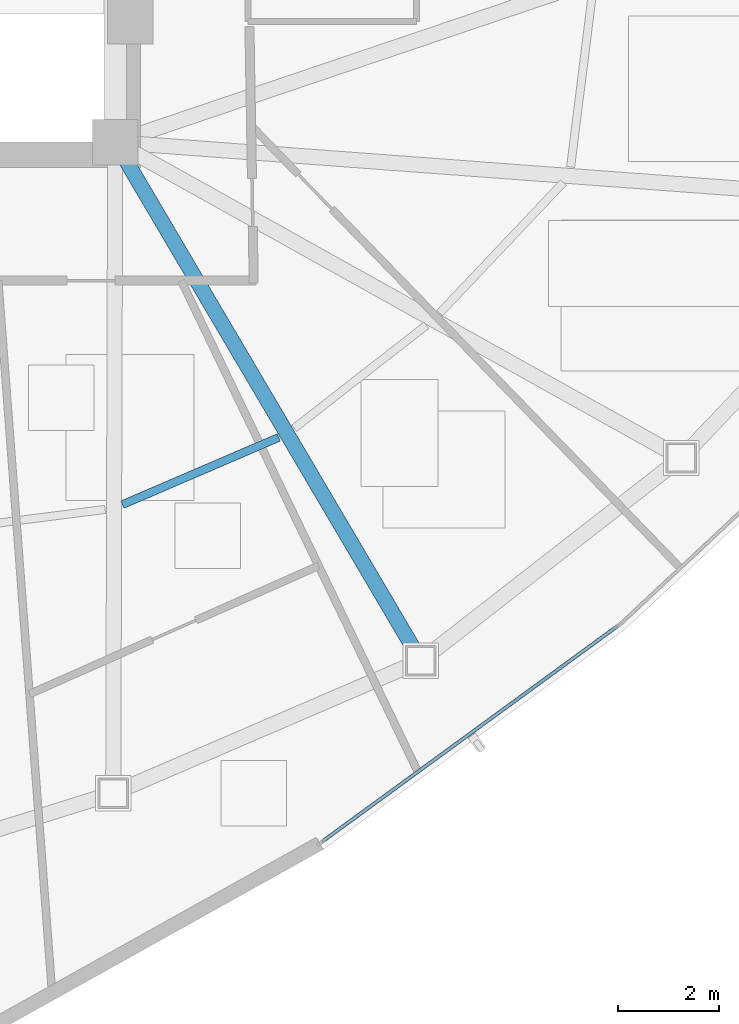
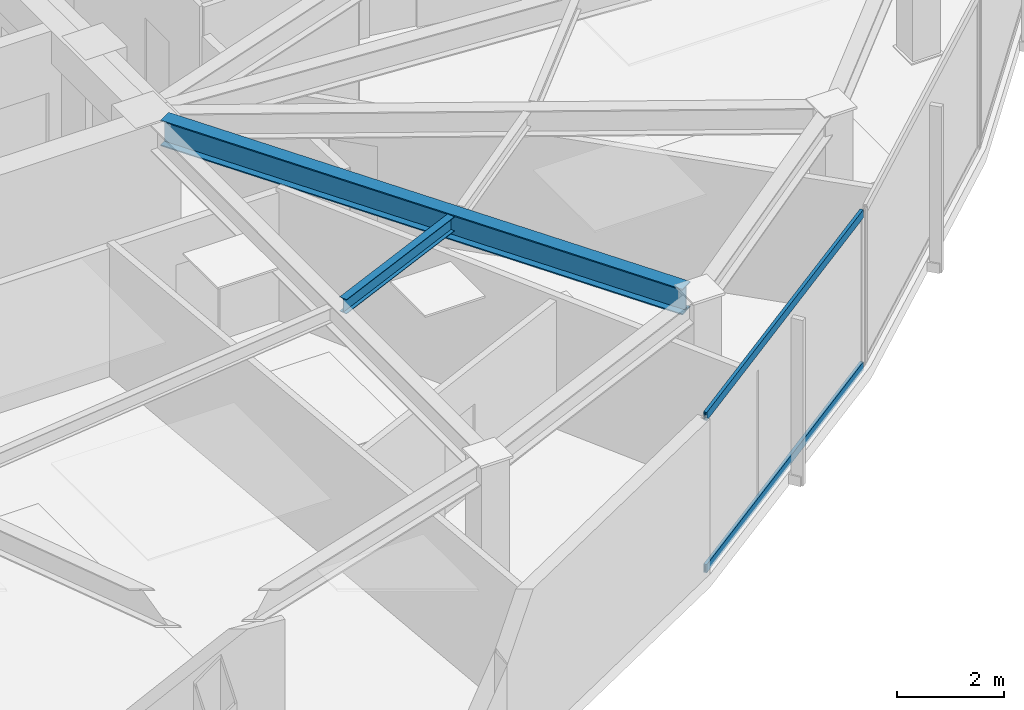
# One storey, part 3 of 17: 2 beams, 2 members, 1 element without a shape of its own.
"""IFC4 building model written with IfcOpenShell, lengths in metres."""

from ifc_helpers import new_model, si_unit, direction, frame, origin, origin_2d, place, context, subcontext, project, spatial, hollow_rectangle, i_section, extrude, source, transform, mapped, material, layer, layer_set, material_profile, profile_set, type_object, type_shapes, element, aggregate, save


model = new_model("IFC4")

# Units and contexts
model_context = context("Model", 3, precision=1e-05, world=origin(), true_north=direction((0.0, 1.0)))
body_context = subcontext(model_context, "Body", "Model", "MODEL_VIEW")
ifc_project = project(units=[si_unit("LENGTHUNIT", "METRE"), si_unit("AREAUNIT", "SQUARE_METRE"), si_unit("VOLUMEUNIT", "CUBIC_METRE"), si_unit("PLANEANGLEUNIT", "RADIAN"), si_unit("MASSUNIT", "GRAM", prefix="KILO")], contexts=[model_context])

# Site, building, storey
site_placement = place(None, origin())
site = spatial("IfcSite", under=ifc_project, at=site_placement, CompositionType="ELEMENT")
building_placement = place(site_placement, origin())
building = spatial("IfcBuilding", under=site, at=building_placement, Name="Tavelor Broadcast Tower", CompositionType="ELEMENT")
storey_placement = place(building_placement, frame((0.0, 0.0, 200.300048828125)))
storey = spatial("IfcBuildingStorey", under=building, at=storey_placement, Name="L48", CompositionType="ELEMENT", Elevation=200.300048828125)

# Beams
ifc_material_1 = material(Name="Steel S355", Category="steel")
ifc_material_profile_1 = material_profile(ifc_material_1, i_section(OverallWidth=0.159912109375, OverallDepth=0.330078125, WebThickness=0.007568359375, FlangeThickness=0.011474609375, at=origin_2d()), Name="IPE 330")
ifc_profile_set_1 = profile_set([ifc_material_profile_1], Name="Steel S355")
beam_type_1 = type_object("IfcBeamType", Name="Composite Floor Joist T4 IPE 330", PredefinedType="JOIST", material=ifc_profile_set_1)
beam_1_placement = place(storey_placement, frame((56.744384765625, 31.603515625, 3.385009765625), z_axis=(0.918692008618, 0.394974674254, 0.0), x_axis=(-0.394974674254, 0.918692008618, 0.0)))
element("IfcBeam", 1, at=beam_1_placement, inside=storey, type_object=beam_type_1, Name="L48 Secondary Composite Floor Joist 09", PredefinedType="JOIST", context=body_context, shape_type="SweptSolid", body=[
    extrude(i_section(OverallWidth=0.159912109375, OverallDepth=0.330078125, WebThickness=0.007568359375, FlangeThickness=0.011474609375, at=origin_2d()), origin(), (0.0, 0.0, 1.0), 3.37744140625),
])
ifc_material_profile_2 = material_profile(ifc_material_1, i_section(OverallWidth=0.300048828125, OverallDepth=0.590087890625, WebThickness=0.012939453125, FlangeThickness=0.02490234375, at=origin_2d()), Name="HEA 600")
ifc_profile_set_2 = profile_set([ifc_material_profile_2], Name="Steel S355")
beam_type_2 = type_object("IfcBeamType", Name="Radial Floor Girder T4 HEA 600", PredefinedType="BEAM", material=ifc_profile_set_2)
beam_2_placement = place(storey_placement, frame((56.8193359375, 38.427734375, 3.2548828125), z_axis=(0.50778362975, -0.861484640233, 0.0), x_axis=(0.861484640233, 0.50778362975, 0.0)))
element("IfcBeam", 2, at=beam_2_placement, inside=storey, type_object=beam_type_2, Name="L48 Radial Primary Floor Girder 10", PredefinedType="BEAM", context=body_context, shape_type="SweptSolid", body=[
    extrude(i_section(OverallWidth=0.300048828125, OverallDepth=0.590087890625, WebThickness=0.012939453125, FlangeThickness=0.02490234375, at=origin_2d()), origin(), (0.0, 0.0, 1.0), 11.232421875),
])

# Curtain wall, members
ifc_material_2 = material(Name="Architectural Anodized Aluminium", Category="aluminium")
ifc_layer = layer(ifc_material_2, 0.18994140625)
ifc_layer_set = layer_set([ifc_layer], Name="Architectural Anodized Aluminium")
curtain_wall_type = type_object("IfcCurtainWallType", Name="Tower Mid-Zone Acoustic Curtain Wall CW03", PredefinedType="NOTDEFINED", material=ifc_layer_set)
curtain_wall_placement = place(storey_placement, origin())
curtain_wall = element("IfcCurtainWall", 3, at=curtain_wall_placement, inside=storey, type_object=curtain_wall_type, Name="L48 Curtain Wall CW03 Run 521", PredefinedType="NOTDEFINED")
ifc_material_profile_3 = material_profile(ifc_material_2, hollow_rectangle(XDim=0.068115234375, YDim=0.18994140625, WallThickness=0.02197265625, at=origin_2d()), Name="RHS 68x190x22")
ifc_profile_set_3 = profile_set([ifc_material_profile_3], Name="Architectural Anodized Aluminium")
member_type = type_object("IfcMemberType", Name="CW03 Extruded Aluminium Transom 68x190", PredefinedType="USERDEFINED", material=ifc_profile_set_3)
shared_shape = source(origin(), body_context, "Body", "SweptSolid", [
    extrude(hollow_rectangle(XDim=0.068115234375, YDim=0.18994140625, WallThickness=0.02197265625, at=origin_2d()), origin(), (0.0, 0.0, 1.0), 7.251708984375),
])
type_shapes(member_type, [shared_shape])
member_1_placement = place(storey_placement, frame((60.71484375, 24.9140625, 0.033935546875), z_axis=(0.807737651914, 0.589542098311, 0.0), x_axis=(-0.589542098311, 0.807737651914, 0.0)))
member_1 = element("IfcMember", 4, at=member_1_placement, type_object=member_type, Name="CW03 transom 1.1", ObjectType="TRANSOM", PredefinedType="USERDEFINED", context=body_context, shape_type="MappedRepresentation", body=[
    mapped(shared_shape, transform((0.0, 0.0, 0.0), scale=1.0)),
])
member_2_placement = place(storey_placement, frame((60.71484375, 24.9140625, 3.515869140625), z_axis=(0.807737651914, 0.589542098311, 0.0), x_axis=(-0.589542098311, 0.807737651914, 0.0)))
member_2 = element("IfcMember", 5, at=member_2_placement, type_object=member_type, Name="CW03 transom 1.2", ObjectType="TRANSOM", PredefinedType="USERDEFINED", context=body_context, shape_type="MappedRepresentation", body=[
    mapped(shared_shape, transform((0.0, 0.0, 0.0), scale=1.0)),
])
aggregate(curtain_wall, [member_1, member_2])

save(model, "model.ifc")
